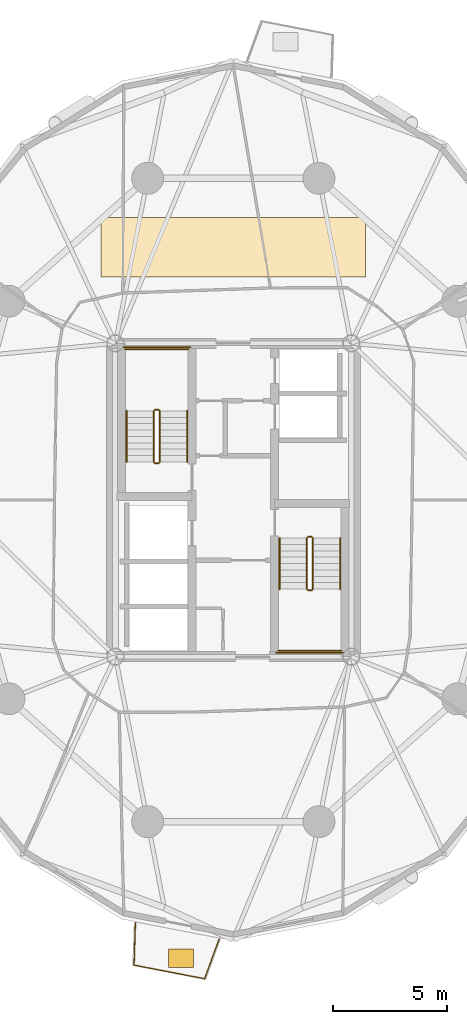
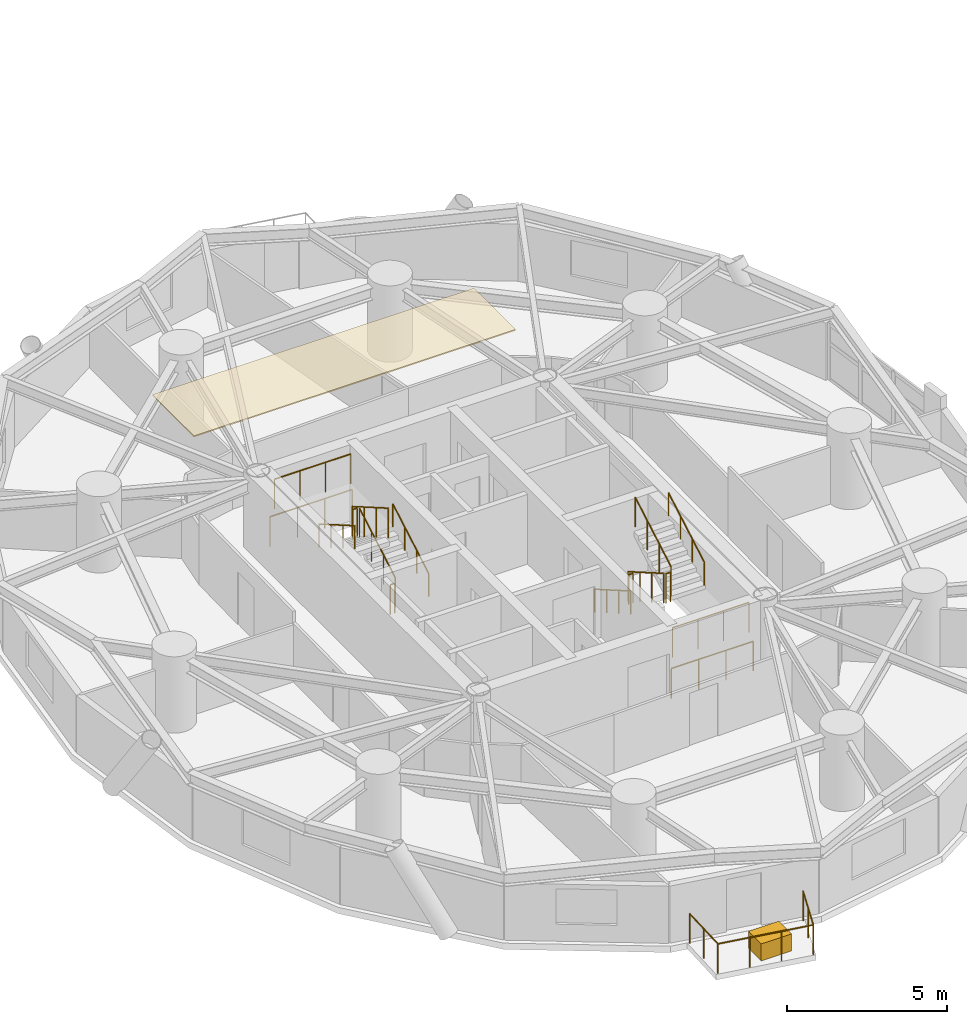
# One storey, part 15 of 17: 17 railings, 2 coverings.
"""IFC4 building model written with IfcOpenShell, lengths in metres."""

from ifc_helpers import new_model, si_unit, direction, frame, origin, origin_2d, place, context, subcontext, project, spatial, polyline, rectangle, circle, outline, extrude, source, transform, mapped, material, layer, layer_set, type_object, element, save


model = new_model("IFC4")

# Units and contexts
model_context = context("Model", 3, precision=1e-05, world=origin(), true_north=direction((0.0, 1.0)))
body_context = subcontext(model_context, "Body", "Model", "MODEL_VIEW")
ifc_project = project(units=[si_unit("LENGTHUNIT", "METRE"), si_unit("AREAUNIT", "SQUARE_METRE"), si_unit("VOLUMEUNIT", "CUBIC_METRE"), si_unit("PLANEANGLEUNIT", "RADIAN"), si_unit("MASSUNIT", "GRAM", prefix="KILO")], contexts=[model_context])

# Site, building, storey
site_placement = place(None, origin())
site = spatial("IfcSite", under=ifc_project, at=site_placement, CompositionType="ELEMENT")
building_placement = place(site_placement, origin())
building = spatial("IfcBuilding", under=site, at=building_placement, Name="Cununo Teusaquillo Station Towers", CompositionType="ELEMENT")
storey_placement = place(building_placement, frame((0.0, 0.0, 96.340087890625)))
storey = spatial("IfcBuildingStorey", under=building, at=storey_placement, Name="L30", CompositionType="ELEMENT", Elevation=96.340087890625)

# Covering
ifc_material_1 = material(Name="Mineral-fibre acoustic suspended ceiling tile", Category="finish")
ifc_layer_1 = layer(ifc_material_1, 0.044921875)
ifc_layer_set_1 = layer_set([ifc_layer_1], Name="Mineral-fibre acoustic suspended ceiling tile")
covering_type_1 = type_object("IfcCoveringType", Name="COV-CEIL-600", PredefinedType="CEILING", material=ifc_layer_set_1)
covering_1_placement = place(storey_placement, frame((0.0, 0.0, 2.625)))
element("IfcCovering", 1, at=covering_1_placement, inside=storey, type_object=covering_type_1, Name="L30 Tower A Acoustic Ceiling", PredefinedType="CEILING", context=body_context, shape_type="SweptSolid", body=[
    extrude(outline(polyline([(22.300048828125, 36.89990234375), (22.300048828125, 34.300048828125), (10.699951171875, 34.300048828125), (10.699951171875, 36.89990234375), (22.300048828125, 36.89990234375)])), origin(), (0.0, 0.0, 1.0), 0.044921875),
])

# Railings
ifc_material_2 = material(Name="Anodised dark bronze aluminium EN AW-6063-T6", Category="aluminium")
railing_type_1 = type_object("IfcRailingType", Name="RL-EXT-GUARD", PredefinedType="GUARDRAIL", material=ifc_material_2)
railing_1_placement = place(storey_placement, frame((15.8818359375, 5.228271484375, 0.0)))
element("IfcRailing", 2, at=railing_1_placement, inside=storey, type_object=railing_type_1, Name="L30 Tower A Balcony Guardrail C14", PredefinedType="GUARDRAIL", context=body_context, shape_type="SweptSolid", body=[
    extrude(circle(Radius=0.02392578125, at=origin_2d()), frame((0.0, 0.0, 1.1259765625), z_axis=(-0.343962021681, -0.9389835609, 0.0), x_axis=(0.9389835609, -0.343962021681, 0.0)), (0.0, 0.0, 1.0), 1.86328125),
    extrude(circle(Radius=0.02392578125, at=origin_2d()), frame((-0.640869140625, -1.74951171875, 1.1259765625), z_axis=(-0.981834317938, 0.189740275429, 0.0), x_axis=(-0.189740275429, -0.981834317938, 0.0)), (0.0, 0.0, 1.0), 3.15380859375),
    extrude(circle(Radius=0.02392578125, at=origin_2d()), frame((-3.7373046875, -1.151123046875, 1.1259765625), z_axis=(0.030662031384, 0.999529809376, 0.0), x_axis=(-0.999529809376, 0.030662031384, 0.0)), (0.0, 0.0, 1.0), 1.86328125),
    extrude(circle(Radius=0.02099609375, at=origin_2d()), origin(), (0.0, 0.0, 1.0), 1.101806640625),
    extrude(circle(Radius=0.02099609375, at=origin_2d()), frame((-0.3203125, -0.874755859375, 0.0)), (0.0, 0.0, 1.0), 1.101806640625),
    extrude(circle(Radius=0.02099609375, at=origin_2d()), frame((-0.640869140625, -1.74951171875, 0.0)), (0.0, 0.0, 1.0), 1.101806640625),
    extrude(circle(Radius=0.02099609375, at=origin_2d()), frame((-1.673095703125, -1.550048828125, 0.0)), (0.0, 0.0, 1.0), 1.101806640625),
    extrude(circle(Radius=0.02099609375, at=origin_2d()), frame((-2.705078125, -1.3505859375, 0.0)), (0.0, 0.0, 1.0), 1.101806640625),
    extrude(circle(Radius=0.02099609375, at=origin_2d()), frame((-3.7373046875, -1.151123046875, 0.0)), (0.0, 0.0, 1.0), 1.101806640625),
    extrude(circle(Radius=0.02099609375, at=origin_2d()), frame((-3.708740234375, -0.219970703125, 0.0)), (0.0, 0.0, 1.0), 1.101806640625),
    extrude(circle(Radius=0.02099609375, at=origin_2d()), frame((-3.68017578125, 0.711181640625, 0.0)), (0.0, 0.0, 1.0), 1.101806640625),
])
ifc_material_3 = material(Name="Steel EN 10025-2 S355J2", Category="steel")
railing_type_2 = type_object("IfcRailingType", Name="RL-INT-GUARD", PredefinedType="GUARDRAIL", material=ifc_material_3)
railing_2_placement = place(storey_placement, frame((13.27001953125, 26.169921875, 0.16162109375)))
element("IfcRailing", 3, at=railing_2_placement, inside=storey, type_object=railing_type_2, Name="L30 ST-T1-1 stair guard 1", PredefinedType="GUARDRAIL", context=body_context, shape_type="SweptSolid", body=[
    extrude(circle(Radius=0.02392578125, at=origin_2d()), frame((0.0, 0.0, 1.1259765625), z_axis=(0.0, 0.866033117094, 0.499986639918), x_axis=(-1.0, 0.0, 0.0)), (0.0, 0.0, 1.0), 2.58642578125),
    extrude(circle(Radius=0.02099609375, at=origin_2d()), origin(), (0.0, 0.0, 1.0), 1.101806640625),
    extrude(circle(Radius=0.02099609375, at=origin_2d()), frame((0.0, 0.74658203125, 0.43115234375)), (0.0, 0.0, 1.0), 1.101806640625),
    extrude(circle(Radius=0.02099609375, at=origin_2d()), frame((0.0, 1.493408203125, 0.862060546875)), (0.0, 0.0, 1.0), 1.101806640625),
    extrude(circle(Radius=0.02099609375, at=origin_2d()), frame((0.0, 2.239990234375, 1.293212890625)), (0.0, 0.0, 1.0), 1.101806640625),
])
railing_3_placement = place(storey_placement, frame((13.219970703125, 28.4599609375, 1.454833984375)))
element("IfcRailing", 4, at=railing_3_placement, inside=storey, type_object=railing_type_2, Name="L30 ST-T1-1 stair guard 2", PredefinedType="GUARDRAIL", context=body_context, shape_type="SweptSolid", body=[
    extrude(circle(Radius=0.02392578125, at=origin_2d()), frame((0.0, 0.0, 1.1259765625), z_axis=(-1.0, 0.0, 0.0), x_axis=(0.0, -1.0, 0.0)), (0.0, 0.0, 1.0), 0.159912109375),
    extrude(circle(Radius=0.02099609375, at=origin_2d()), origin(), (0.0, 0.0, 1.0), 1.101806640625),
    extrude(circle(Radius=0.02099609375, at=origin_2d()), frame((-0.159912109375, 0.0, 0.0)), (0.0, 0.0, 1.0), 1.101806640625),
])
railing_4_placement = place(storey_placement, frame((14.52001953125, 31.110107421875, 1.454833984375)))
element("IfcRailing", 5, at=railing_4_placement, inside=storey, type_object=railing_type_2, Name="L30 ST-T1-1 stair guard 3", PredefinedType="GUARDRAIL", context=body_context, shape_type="SweptSolid", body=[
    extrude(circle(Radius=0.02392578125, at=origin_2d()), frame((0.0, 0.0, 1.1259765625), z_axis=(-1.0, 0.0, 0.0), x_axis=(0.0, -1.0, 0.0)), (0.0, 0.0, 1.0), 2.760009765625),
    extrude(circle(Radius=0.02099609375, at=origin_2d()), origin(), (0.0, 0.0, 1.0), 1.101806640625),
    extrude(circle(Radius=0.02099609375, at=origin_2d()), frame((-0.919921875, 0.0, 0.0)), (0.0, 0.0, 1.0), 1.101806640625),
    extrude(circle(Radius=0.02099609375, at=origin_2d()), frame((-1.840087890625, 0.0, 0.0)), (0.0, 0.0, 1.0), 1.101806640625),
    extrude(circle(Radius=0.02099609375, at=origin_2d()), frame((-2.760009765625, 0.0, 0.0)), (0.0, 0.0, 1.0), 1.101806640625),
])
railing_5_placement = place(storey_placement, frame((13.010009765625, 28.409912109375, 1.61669921875)))
element("IfcRailing", 6, at=railing_5_placement, inside=storey, type_object=railing_type_2, Name="L30 ST-T1-1 stair guard 4", PredefinedType="GUARDRAIL", context=body_context, shape_type="SweptSolid", body=[
    extrude(circle(Radius=0.02392578125, at=origin_2d()), frame((0.0, 0.0, 1.1259765625), z_axis=(0.0, -0.866033117094, 0.499986639918), x_axis=(1.0, 0.0, 0.0)), (0.0, 0.0, 1.0), 2.58642578125),
    extrude(circle(Radius=0.02099609375, at=origin_2d()), origin(), (0.0, 0.0, 1.0), 1.101806640625),
    extrude(circle(Radius=0.02099609375, at=origin_2d()), frame((0.0, -0.74658203125, 0.43115234375)), (0.0, 0.0, 1.0), 1.101806640625),
    extrude(circle(Radius=0.02099609375, at=origin_2d()), frame((0.0, -1.493408203125, 0.862060546875)), (0.0, 0.0, 1.0), 1.101806640625),
    extrude(circle(Radius=0.02099609375, at=origin_2d()), frame((0.0, -2.239990234375, 1.293212890625)), (0.0, 0.0, 1.0), 1.101806640625),
])
railing_6_placement = place(storey_placement, frame((13.219970703125, 26.1201171875, 0.0)))
element("IfcRailing", 7, at=railing_6_placement, inside=storey, type_object=railing_type_2, Name="L30 ST-T1-1 stair guard 5", PredefinedType="GUARDRAIL", context=body_context, shape_type="SweptSolid", body=[
    extrude(circle(Radius=0.02392578125, at=origin_2d()), frame((0.0, 0.0, 1.1259765625), z_axis=(-1.0, 0.0, 0.0), x_axis=(0.0, -1.0, 0.0)), (0.0, 0.0, 1.0), 0.159912109375),
    extrude(circle(Radius=0.02099609375, at=origin_2d()), origin(), (0.0, 0.0, 1.0), 1.101806640625),
    extrude(circle(Radius=0.02099609375, at=origin_2d()), frame((-0.159912109375, 0.0, 0.0)), (0.0, 0.0, 1.0), 1.101806640625),
])
railing_7_placement = place(storey_placement, frame((14.6201171875, 31.2099609375, 0.0)))
element("IfcRailing", 8, at=railing_7_placement, inside=storey, type_object=railing_type_2, Name="L30 ST-T1-1 stair guard 6", PredefinedType="GUARDRAIL", context=body_context, shape_type="SweptSolid", body=[
    extrude(circle(Radius=0.02392578125, at=origin_2d()), frame((0.0, 0.0, 1.1259765625), z_axis=(-1.0, 0.0, 0.0), x_axis=(0.0, -1.0, 0.0)), (0.0, 0.0, 1.0), 2.960205078125),
    extrude(circle(Radius=0.02099609375, at=origin_2d()), origin(), (0.0, 0.0, 1.0), 1.101806640625),
    extrude(circle(Radius=0.02099609375, at=origin_2d()), frame((-0.98681640625, 0.0, 0.0)), (0.0, 0.0, 1.0), 1.101806640625),
    extrude(circle(Radius=0.02099609375, at=origin_2d()), frame((-1.973388671875, 0.0, 0.0)), (0.0, 0.0, 1.0), 1.101806640625),
    extrude(circle(Radius=0.02099609375, at=origin_2d()), frame((-2.960205078125, 0.0, 0.0)), (0.0, 0.0, 1.0), 1.101806640625),
])
railing_8_placement = place(storey_placement, frame((19.72998046875, 22.830078125, 0.16162109375)))
element("IfcRailing", 9, at=railing_8_placement, inside=storey, type_object=railing_type_2, Name="L30 ST-T1-2 stair guard 1", PredefinedType="GUARDRAIL", context=body_context, shape_type="SweptSolid", body=[
    extrude(circle(Radius=0.02392578125, at=origin_2d()), frame((0.0, 0.0, 1.1259765625), z_axis=(0.0, -0.866033117094, 0.499986639918), x_axis=(1.0, 0.0, 0.0)), (0.0, 0.0, 1.0), 2.58642578125),
    extrude(circle(Radius=0.02099609375, at=origin_2d()), origin(), (0.0, 0.0, 1.0), 1.101806640625),
    extrude(circle(Radius=0.02099609375, at=origin_2d()), frame((0.0, -0.74658203125, 0.43115234375)), (0.0, 0.0, 1.0), 1.101806640625),
    extrude(circle(Radius=0.02099609375, at=origin_2d()), frame((0.0, -1.493408203125, 0.862060546875)), (0.0, 0.0, 1.0), 1.101806640625),
    extrude(circle(Radius=0.02099609375, at=origin_2d()), frame((0.0, -2.239990234375, 1.293212890625)), (0.0, 0.0, 1.0), 1.101806640625),
])
railing_9_placement = place(storey_placement, frame((19.780029296875, 20.5400390625, 1.454833984375)))
element("IfcRailing", 10, at=railing_9_placement, inside=storey, type_object=railing_type_2, Name="L30 ST-T1-2 stair guard 2", PredefinedType="GUARDRAIL", context=body_context, shape_type="SweptSolid", body=[
    extrude(circle(Radius=0.02392578125, at=origin_2d()), frame((0.0, 0.0, 1.1259765625), z_axis=(1.0, 0.0, 0.0), x_axis=(0.0, 1.0, 0.0)), (0.0, 0.0, 1.0), 0.159912109375),
    extrude(circle(Radius=0.02099609375, at=origin_2d()), origin(), (0.0, 0.0, 1.0), 1.101806640625),
    extrude(circle(Radius=0.02099609375, at=origin_2d()), frame((0.159912109375, 0.0, 0.0)), (0.0, 0.0, 1.0), 1.101806640625),
])
railing_10_placement = place(storey_placement, frame((18.47998046875, 17.889892578125, 1.454833984375)))
element("IfcRailing", 11, at=railing_10_placement, inside=storey, type_object=railing_type_2, Name="L30 ST-T1-2 stair guard 3", PredefinedType="GUARDRAIL", context=body_context, shape_type="SweptSolid", body=[
    extrude(circle(Radius=0.02392578125, at=origin_2d()), frame((0.0, 0.0, 1.1259765625), z_axis=(1.0, 0.0, 0.0), x_axis=(0.0, 1.0, 0.0)), (0.0, 0.0, 1.0), 2.760009765625),
    extrude(circle(Radius=0.02099609375, at=origin_2d()), origin(), (0.0, 0.0, 1.0), 1.101806640625),
    extrude(circle(Radius=0.02099609375, at=origin_2d()), frame((0.919921875, 0.0, 0.0)), (0.0, 0.0, 1.0), 1.101806640625),
    extrude(circle(Radius=0.02099609375, at=origin_2d()), frame((1.840087890625, 0.0, 0.0)), (0.0, 0.0, 1.0), 1.101806640625),
    extrude(circle(Radius=0.02099609375, at=origin_2d()), frame((2.760009765625, 0.0, 0.0)), (0.0, 0.0, 1.0), 1.101806640625),
])
railing_11_placement = place(storey_placement, frame((19.989990234375, 20.590087890625, 1.61669921875)))
element("IfcRailing", 12, at=railing_11_placement, inside=storey, type_object=railing_type_2, Name="L30 ST-T1-2 stair guard 4", PredefinedType="GUARDRAIL", context=body_context, shape_type="SweptSolid", body=[
    extrude(circle(Radius=0.02392578125, at=origin_2d()), frame((0.0, 0.0, 1.1259765625), z_axis=(0.0, 0.866033117094, 0.499986639918), x_axis=(-1.0, 0.0, 0.0)), (0.0, 0.0, 1.0), 2.58642578125),
    extrude(circle(Radius=0.02099609375, at=origin_2d()), origin(), (0.0, 0.0, 1.0), 1.101806640625),
    extrude(circle(Radius=0.02099609375, at=origin_2d()), frame((0.0, 0.74658203125, 0.43115234375)), (0.0, 0.0, 1.0), 1.101806640625),
    extrude(circle(Radius=0.02099609375, at=origin_2d()), frame((0.0, 1.493408203125, 0.862060546875)), (0.0, 0.0, 1.0), 1.101806640625),
    extrude(circle(Radius=0.02099609375, at=origin_2d()), frame((0.0, 2.239990234375, 1.293212890625)), (0.0, 0.0, 1.0), 1.101806640625),
])
railing_12_placement = place(storey_placement, frame((19.780029296875, 22.8798828125, 0.0)))
element("IfcRailing", 13, at=railing_12_placement, inside=storey, type_object=railing_type_2, Name="L30 ST-T1-2 stair guard 5", PredefinedType="GUARDRAIL", context=body_context, shape_type="SweptSolid", body=[
    extrude(circle(Radius=0.02392578125, at=origin_2d()), frame((0.0, 0.0, 1.1259765625), z_axis=(1.0, 0.0, 0.0), x_axis=(0.0, 1.0, 0.0)), (0.0, 0.0, 1.0), 0.159912109375),
    extrude(circle(Radius=0.02099609375, at=origin_2d()), origin(), (0.0, 0.0, 1.0), 1.101806640625),
    extrude(circle(Radius=0.02099609375, at=origin_2d()), frame((0.159912109375, 0.0, 0.0)), (0.0, 0.0, 1.0), 1.101806640625),
])
railing_13_placement = place(storey_placement, frame((18.3798828125, 17.7900390625, 0.0)))
element("IfcRailing", 14, at=railing_13_placement, inside=storey, type_object=railing_type_2, Name="L30 ST-T1-2 stair guard 6", PredefinedType="GUARDRAIL", context=body_context, shape_type="SweptSolid", body=[
    extrude(circle(Radius=0.02392578125, at=origin_2d()), frame((0.0, 0.0, 1.1259765625), z_axis=(1.0, 0.0, 0.0), x_axis=(0.0, 1.0, 0.0)), (0.0, 0.0, 1.0), 2.960205078125),
    extrude(circle(Radius=0.02099609375, at=origin_2d()), origin(), (0.0, 0.0, 1.0), 1.101806640625),
    extrude(circle(Radius=0.02099609375, at=origin_2d()), frame((0.98681640625, 0.0, 0.0)), (0.0, 0.0, 1.0), 1.101806640625),
    extrude(circle(Radius=0.02099609375, at=origin_2d()), frame((1.973388671875, 0.0, 0.0)), (0.0, 0.0, 1.0), 1.101806640625),
    extrude(circle(Radius=0.02099609375, at=origin_2d()), frame((2.960205078125, 0.0, 0.0)), (0.0, 0.0, 1.0), 1.101806640625),
])
ifc_material_4 = material(Name="Steel EN 10025-2 S355J2", Category="steel")
railing_type_3 = type_object("IfcRailingType", Name="RL-INT-HRAIL", PredefinedType="HANDRAIL", material=ifc_material_4)
railing_14_placement = place(storey_placement, frame((14.469970703125, 26.169921875, 0.16162109375)))
element("IfcRailing", 15, at=railing_14_placement, inside=storey, type_object=railing_type_3, Name="L30 ST-T1-1 stair handrail 1", PredefinedType="HANDRAIL", context=body_context, shape_type="SweptSolid", body=[
    extrude(circle(Radius=0.02392578125, at=origin_2d()), frame((0.0, 0.0, 0.8759765625), z_axis=(0.0, 0.866033117094, 0.499986639918), x_axis=(-1.0, 0.0, 0.0)), (0.0, 0.0, 1.0), 2.58642578125),
    extrude(circle(Radius=0.02099609375, at=origin_2d()), origin(), (0.0, 0.0, 1.0), 0.851806640625),
    extrude(circle(Radius=0.02099609375, at=origin_2d()), frame((0.0, 0.74658203125, 0.43115234375)), (0.0, 0.0, 1.0), 0.851806640625),
    extrude(circle(Radius=0.02099609375, at=origin_2d()), frame((0.0, 1.493408203125, 0.862060546875)), (0.0, 0.0, 1.0), 0.851806640625),
    extrude(circle(Radius=0.02099609375, at=origin_2d()), frame((0.0, 2.239990234375, 1.293212890625)), (0.0, 0.0, 1.0), 0.851806640625),
])
for number, where, name in (
    (16, (11.81005859375, 28.409912109375, 1.61669921875), "L30 ST-T1-1 stair handrail 2"),
    (17, (18.530029296875, 22.830078125, 0.16162109375), "L30 ST-T1-2 stair handrail 1"),
):
    element("IfcRailing", number, at=place(storey_placement, frame(where)), inside=storey, type_object=railing_type_3, Name=name, PredefinedType="HANDRAIL", context=body_context, shape_type="SweptSolid", body=[
        extrude(circle(Radius=0.02392578125, at=origin_2d()), frame((0.0, 0.0, 0.8759765625), z_axis=(0.0, -0.866033117094, 0.499986639918), x_axis=(1.0, 0.0, 0.0)), (0.0, 0.0, 1.0), 2.58642578125),
        extrude(circle(Radius=0.02099609375, at=origin_2d()), origin(), (0.0, 0.0, 1.0), 0.851806640625),
        extrude(circle(Radius=0.02099609375, at=origin_2d()), frame((0.0, -0.74658203125, 0.43115234375)), (0.0, 0.0, 1.0), 0.851806640625),
        extrude(circle(Radius=0.02099609375, at=origin_2d()), frame((0.0, -1.493408203125, 0.862060546875)), (0.0, 0.0, 1.0), 0.851806640625),
        extrude(circle(Radius=0.02099609375, at=origin_2d()), frame((0.0, -2.239990234375, 1.293212890625)), (0.0, 0.0, 1.0), 0.851806640625),
    ])
railing_15_placement = place(storey_placement, frame((21.18994140625, 20.590087890625, 1.61669921875)))
element("IfcRailing", 18, at=railing_15_placement, inside=storey, type_object=railing_type_3, Name="L30 ST-T1-2 stair handrail 2", PredefinedType="HANDRAIL", context=body_context, shape_type="SweptSolid", body=[
    extrude(circle(Radius=0.02392578125, at=origin_2d()), frame((0.0, 0.0, 0.8759765625), z_axis=(0.0, 0.866033117094, 0.499986639918), x_axis=(-1.0, 0.0, 0.0)), (0.0, 0.0, 1.0), 2.58642578125),
    extrude(circle(Radius=0.02099609375, at=origin_2d()), origin(), (0.0, 0.0, 1.0), 0.851806640625),
    extrude(circle(Radius=0.02099609375, at=origin_2d()), frame((0.0, 0.74658203125, 0.43115234375)), (0.0, 0.0, 1.0), 0.851806640625),
    extrude(circle(Radius=0.02099609375, at=origin_2d()), frame((0.0, 1.493408203125, 0.862060546875)), (0.0, 0.0, 1.0), 0.851806640625),
    extrude(circle(Radius=0.02099609375, at=origin_2d()), frame((0.0, 2.239990234375, 1.293212890625)), (0.0, 0.0, 1.0), 0.851806640625),
])

# Covering
ifc_material_5 = material(Name="Architectural GRC planter shell and engineered root-zone substrate", Category="concrete")
ifc_layer_2 = layer(ifc_material_5, 0.64990234375)
ifc_layer_set_2 = layer_set([ifc_layer_2], Name="Architectural GRC planter shell and engineered root-zone substrate")
covering_type_2 = type_object("IfcCoveringType", Name="COV-TREE-PLANTER", PredefinedType="CLADDING", material=ifc_layer_set_2)
shared_shape = source(origin(), body_context, "Body", "SweptSolid", [
    extrude(rectangle(XDim=1.10009765625, YDim=0.800048828125, at=origin_2d()), origin(), (0.0, 0.0, 1.0), 0.64990234375),
])
covering_2_placement = place(storey_placement, frame((14.2021484375, 4.385498046875, 0.0), z_axis=(0.0, 0.0, 1.0), x_axis=(1.0, 0.0, 0.0)))
element("IfcCovering", 19, at=covering_2_placement, inside=storey, type_object=covering_type_2, Name="L30 Tower A Balcony Tree PLANTER C14", PredefinedType="CLADDING", context=body_context, shape_type="MappedRepresentation", body=[
    mapped(shared_shape, transform((0.0, 0.0, 0.0), x_axis=(1.0, 0.0, 0.0), y_axis=(0.0, 1.0, 0.0), z_axis=(0.0, 0.0, 1.0), scale=1.0)),
])

save(model, "model.ifc")
